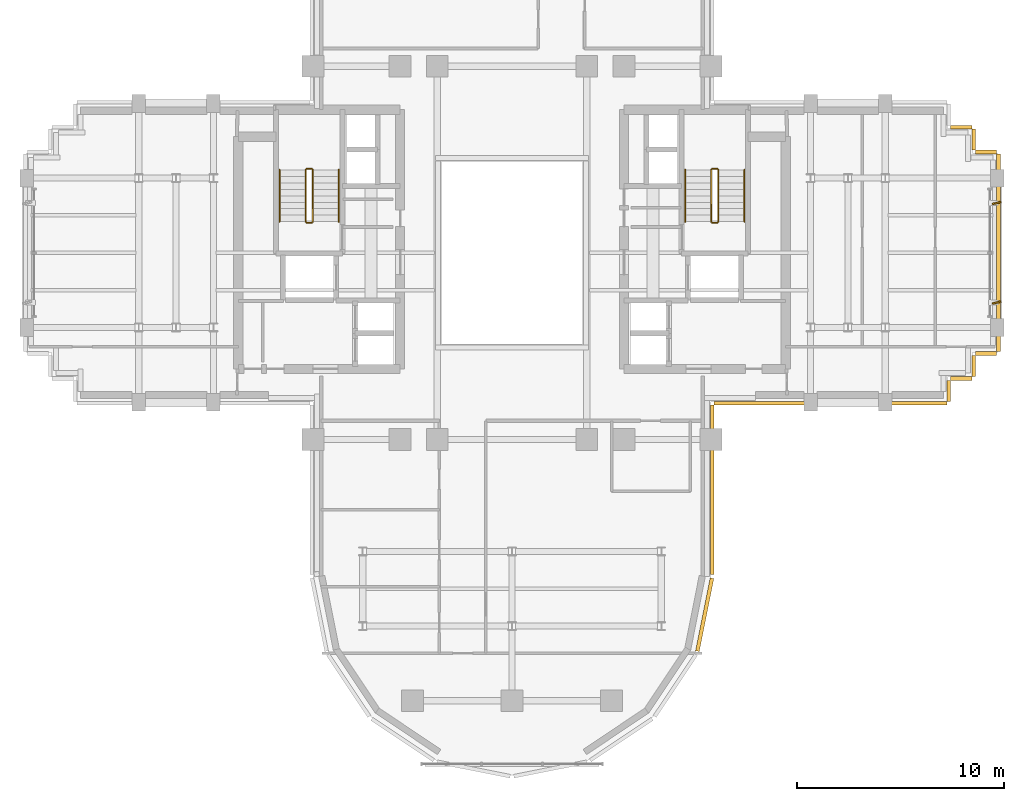
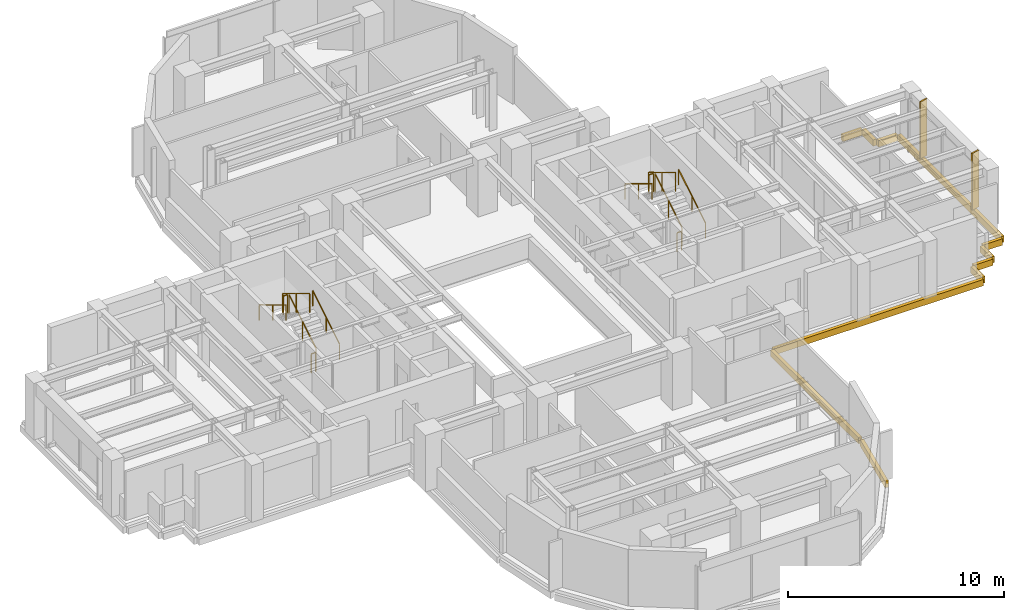
# One storey, part 13 of 14: 12 railings, 11 coverings, 2 shading devices.
"""IFC4 building model written with IfcOpenShell, lengths in metres."""

from ifc_helpers import new_model, si_unit, direction, frame, origin, origin_2d, place, context, subcontext, project, spatial, rectangle, extrude, source, transform, mapped, material, layer, layer_set, type_object, element, save


model = new_model("IFC4")

# Units and contexts
model_context = context("Model", 3, precision=1e-05, world=origin(), true_north=direction((0.0, 1.0)))
body_context = subcontext(model_context, "Body", "Model", "MODEL_VIEW")
ifc_project = project(units=[si_unit("LENGTHUNIT", "METRE"), si_unit("AREAUNIT", "SQUARE_METRE"), si_unit("VOLUMEUNIT", "CUBIC_METRE"), si_unit("PLANEANGLEUNIT", "RADIAN"), si_unit("MASSUNIT", "GRAM", prefix="KILO")], contexts=[model_context])

# Site, building, storey
site_placement = place(None, origin())
site = spatial("IfcSite", under=ifc_project, at=site_placement, CompositionType="ELEMENT")
building_placement = place(site_placement, origin())
building = spatial("IfcBuilding", under=site, at=building_placement, Name="Keilestroom Media Tower", CompositionType="ELEMENT")
storey_placement = place(building_placement, frame((0.0, 0.0, 127.800048828125)))
storey = spatial("IfcBuildingStorey", under=building, at=storey_placement, Name="L34", CompositionType="ELEMENT", Elevation=127.800048828125)

# Railings
ifc_material_1 = material(Name="Brushed Stainless Steel 1.4301", Category="steel")
railing_type_1 = type_object("IfcRailingType", Name="Stair-Pitch-Handrail-920", PredefinedType="HANDRAIL", material=ifc_material_1)
railing_1_placement = place(storey_placement, frame((-8.35009765625, 1.5, 0.188720703125)))
element("IfcRailing", 1, at=railing_1_placement, inside=storey, type_object=railing_type_1, Name="L34 ST-1 stair handrail 1", PredefinedType="HANDRAIL", context=body_context, shape_type="SweptSolid", body=[
    extrude(rectangle(XDim=0.048095703125, YDim=0.048095703125, at=origin_2d()), frame((0.0, 0.0, 0.8759765625), z_axis=(0.0, 0.855433747314, 0.517912255074), x_axis=(-1.0, 0.0, 0.0)), (0.0, 0.0, 1.0), 2.91796875),
    extrude(rectangle(XDim=0.0419921875, YDim=0.0419921875, at=origin_2d()), origin(), (0.0, 0.0, 1.0), 0.84375),
    extrude(rectangle(XDim=0.0419921875, YDim=0.0419921875, at=origin_2d()), frame((0.0, 1.248046875, 0.755615234375)), (0.0, 0.0, 1.0), 0.84375),
    extrude(rectangle(XDim=0.0419921875, YDim=0.0419921875, at=origin_2d()), frame((0.0, 2.49609375, 1.51123046875)), (0.0, 0.0, 1.0), 0.84375),
])
railing_2_placement = place(storey_placement, frame((-11.2099609375, 3.99609375, 1.888916015625)))
element("IfcRailing", 2, at=railing_2_placement, inside=storey, type_object=railing_type_1, Name="L34 ST-1 stair handrail 2", PredefinedType="HANDRAIL", context=body_context, shape_type="SweptSolid", body=[
    extrude(rectangle(XDim=0.048095703125, YDim=0.048095703125, at=origin_2d()), frame((0.0, 0.0, 0.8759765625), z_axis=(0.0, -0.855470815493, 0.517851024754), x_axis=(1.0, 0.0, 0.0)), (0.0, 0.0, 1.0), 2.917724609375),
    extrude(rectangle(XDim=0.0419921875, YDim=0.0419921875, at=origin_2d()), origin(), (0.0, 0.0, 1.0), 0.84375),
    extrude(rectangle(XDim=0.0419921875, YDim=0.0419921875, at=origin_2d()), frame((0.0, -1.248046875, 0.75537109375)), (0.0, 0.0, 1.0), 0.84375),
    extrude(rectangle(XDim=0.0419921875, YDim=0.0419921875, at=origin_2d()), frame((0.0, -2.49609375, 1.510986328125)), (0.0, 0.0, 1.0), 0.84375),
])
railing_3_placement = place(storey_placement, frame((11.2099609375, 1.5, 0.188720703125)))
element("IfcRailing", 3, at=railing_3_placement, inside=storey, type_object=railing_type_1, Name="L34 ST-2 stair handrail 1", PredefinedType="HANDRAIL", context=body_context, shape_type="SweptSolid", body=[
    extrude(rectangle(XDim=0.048095703125, YDim=0.048095703125, at=origin_2d()), frame((0.0, 0.0, 0.8759765625), z_axis=(0.0, 0.855433747314, 0.517912255074), x_axis=(-1.0, 0.0, 0.0)), (0.0, 0.0, 1.0), 2.91796875),
    extrude(rectangle(XDim=0.0419921875, YDim=0.0419921875, at=origin_2d()), origin(), (0.0, 0.0, 1.0), 0.84375),
    extrude(rectangle(XDim=0.0419921875, YDim=0.0419921875, at=origin_2d()), frame((0.0, 1.248046875, 0.755615234375)), (0.0, 0.0, 1.0), 0.84375),
    extrude(rectangle(XDim=0.0419921875, YDim=0.0419921875, at=origin_2d()), frame((0.0, 2.49609375, 1.51123046875)), (0.0, 0.0, 1.0), 0.84375),
])
railing_4_placement = place(storey_placement, frame((8.35009765625, 3.99609375, 1.888916015625)))
element("IfcRailing", 4, at=railing_4_placement, inside=storey, type_object=railing_type_1, Name="L34 ST-2 stair handrail 2", PredefinedType="HANDRAIL", context=body_context, shape_type="SweptSolid", body=[
    extrude(rectangle(XDim=0.048095703125, YDim=0.048095703125, at=origin_2d()), frame((0.0, 0.0, 0.8759765625), z_axis=(0.0, -0.855470815493, 0.517851024754), x_axis=(1.0, 0.0, 0.0)), (0.0, 0.0, 1.0), 2.917724609375),
    extrude(rectangle(XDim=0.0419921875, YDim=0.0419921875, at=origin_2d()), origin(), (0.0, 0.0, 1.0), 0.84375),
    extrude(rectangle(XDim=0.0419921875, YDim=0.0419921875, at=origin_2d()), frame((0.0, -1.248046875, 0.75537109375)), (0.0, 0.0, 1.0), 0.84375),
    extrude(rectangle(XDim=0.0419921875, YDim=0.0419921875, at=origin_2d()), frame((0.0, -2.49609375, 1.510986328125)), (0.0, 0.0, 1.0), 0.84375),
])
ifc_material_2 = material(Name="Painted Steel Balustrade", Category="steel")
railing_type_2 = type_object("IfcRailingType", Name="Stair-Well-And-Landing-Guard-1100", PredefinedType="GUARDRAIL", material=ifc_material_2)
railing_5_placement = place(storey_placement, frame((-9.610107421875, 1.5, 0.188720703125)))
element("IfcRailing", 5, at=railing_5_placement, inside=storey, type_object=railing_type_2, Name="L34 ST-1 stair guard 1", PredefinedType="GUARDRAIL", context=body_context, shape_type="SweptSolid", body=[
    extrude(rectangle(XDim=0.048095703125, YDim=0.048095703125, at=origin_2d()), frame((0.0, 0.0, 1.076171875), z_axis=(0.0, 0.855433747314, 0.517912255074), x_axis=(-1.0, 0.0, 0.0)), (0.0, 0.0, 1.0), 2.91796875),
    extrude(rectangle(XDim=0.0419921875, YDim=0.0419921875, at=origin_2d()), origin(), (0.0, 0.0, 1.0), 1.0439453125),
    extrude(rectangle(XDim=0.0419921875, YDim=0.0419921875, at=origin_2d()), frame((0.0, 1.248046875, 0.755615234375)), (0.0, 0.0, 1.0), 1.0439453125),
    extrude(rectangle(XDim=0.0419921875, YDim=0.0419921875, at=origin_2d()), frame((0.0, 2.49609375, 1.51123046875)), (0.0, 0.0, 1.0), 1.0439453125),
])
railing_6_placement = place(storey_placement, frame((-9.659912109375, 4.0458984375, 1.699951171875)))
element("IfcRailing", 6, at=railing_6_placement, inside=storey, type_object=railing_type_2, Name="L34 ST-1 stair guard 2", PredefinedType="GUARDRAIL", context=body_context, shape_type="SweptSolid", body=[
    extrude(rectangle(XDim=0.048095703125, YDim=0.048095703125, at=origin_2d()), frame((0.0, 0.0, 1.076171875), z_axis=(-1.0, 0.0, 0.0), x_axis=(0.0, -1.0, 0.0)), (0.0, 0.0, 1.0), 0.239990234375),
    extrude(rectangle(XDim=0.0419921875, YDim=0.0419921875, at=origin_2d()), origin(), (0.0, 0.0, 1.0), 1.0439453125),
    extrude(rectangle(XDim=0.0419921875, YDim=0.0419921875, at=origin_2d()), frame((-0.239990234375, 0.0, 0.0)), (0.0, 0.0, 1.0), 1.0439453125),
])
railing_7_placement = place(storey_placement, frame((-9.949951171875, 3.99609375, 1.888916015625)))
element("IfcRailing", 7, at=railing_7_placement, inside=storey, type_object=railing_type_2, Name="L34 ST-1 stair guard 3", PredefinedType="GUARDRAIL", context=body_context, shape_type="SweptSolid", body=[
    extrude(rectangle(XDim=0.048095703125, YDim=0.048095703125, at=origin_2d()), frame((0.0, 0.0, 1.076171875), z_axis=(0.0, -0.855470815493, 0.517851024754), x_axis=(1.0, 0.0, 0.0)), (0.0, 0.0, 1.0), 2.917724609375),
    extrude(rectangle(XDim=0.0419921875, YDim=0.0419921875, at=origin_2d()), origin(), (0.0, 0.0, 1.0), 1.0439453125),
    extrude(rectangle(XDim=0.0419921875, YDim=0.0419921875, at=origin_2d()), frame((0.0, -1.248046875, 0.75537109375)), (0.0, 0.0, 1.0), 1.0439453125),
    extrude(rectangle(XDim=0.0419921875, YDim=0.0419921875, at=origin_2d()), frame((0.0, -2.49609375, 1.510986328125)), (0.0, 0.0, 1.0), 1.0439453125),
])
railing_8_placement = place(storey_placement, frame((-9.659912109375, 1.449951171875, 0.0)))
element("IfcRailing", 8, at=railing_8_placement, inside=storey, type_object=railing_type_2, Name="L34 ST-1 stair guard 4", PredefinedType="GUARDRAIL", context=body_context, shape_type="SweptSolid", body=[
    extrude(rectangle(XDim=0.048095703125, YDim=0.048095703125, at=origin_2d()), frame((0.0, 0.0, 1.076171875), z_axis=(-1.0, 0.0, 0.0), x_axis=(0.0, -1.0, 0.0)), (0.0, 0.0, 1.0), 0.239990234375),
    extrude(rectangle(XDim=0.0419921875, YDim=0.0419921875, at=origin_2d()), origin(), (0.0, 0.0, 1.0), 1.0439453125),
    extrude(rectangle(XDim=0.0419921875, YDim=0.0419921875, at=origin_2d()), frame((-0.239990234375, 0.0, 0.0)), (0.0, 0.0, 1.0), 1.0439453125),
])
railing_9_placement = place(storey_placement, frame((9.949951171875, 1.5, 0.188720703125)))
element("IfcRailing", 9, at=railing_9_placement, inside=storey, type_object=railing_type_2, Name="L34 ST-2 stair guard 1", PredefinedType="GUARDRAIL", context=body_context, shape_type="SweptSolid", body=[
    extrude(rectangle(XDim=0.048095703125, YDim=0.048095703125, at=origin_2d()), frame((0.0, 0.0, 1.076171875), z_axis=(0.0, 0.855433747314, 0.517912255074), x_axis=(-1.0, 0.0, 0.0)), (0.0, 0.0, 1.0), 2.91796875),
    extrude(rectangle(XDim=0.0419921875, YDim=0.0419921875, at=origin_2d()), origin(), (0.0, 0.0, 1.0), 1.0439453125),
    extrude(rectangle(XDim=0.0419921875, YDim=0.0419921875, at=origin_2d()), frame((0.0, 1.248046875, 0.755615234375)), (0.0, 0.0, 1.0), 1.0439453125),
    extrude(rectangle(XDim=0.0419921875, YDim=0.0419921875, at=origin_2d()), frame((0.0, 2.49609375, 1.51123046875)), (0.0, 0.0, 1.0), 1.0439453125),
])
railing_10_placement = place(storey_placement, frame((9.89990234375, 4.0458984375, 1.699951171875)))
element("IfcRailing", 10, at=railing_10_placement, inside=storey, type_object=railing_type_2, Name="L34 ST-2 stair guard 2", PredefinedType="GUARDRAIL", context=body_context, shape_type="SweptSolid", body=[
    extrude(rectangle(XDim=0.048095703125, YDim=0.048095703125, at=origin_2d()), frame((0.0, 0.0, 1.076171875), z_axis=(-1.0, 0.0, 0.0), x_axis=(0.0, -1.0, 0.0)), (0.0, 0.0, 1.0), 0.239990234375),
    extrude(rectangle(XDim=0.0419921875, YDim=0.0419921875, at=origin_2d()), origin(), (0.0, 0.0, 1.0), 1.0439453125),
    extrude(rectangle(XDim=0.0419921875, YDim=0.0419921875, at=origin_2d()), frame((-0.239990234375, 0.0, 0.0)), (0.0, 0.0, 1.0), 1.0439453125),
])
railing_11_placement = place(storey_placement, frame((9.610107421875, 3.99609375, 1.888916015625)))
element("IfcRailing", 11, at=railing_11_placement, inside=storey, type_object=railing_type_2, Name="L34 ST-2 stair guard 3", PredefinedType="GUARDRAIL", context=body_context, shape_type="SweptSolid", body=[
    extrude(rectangle(XDim=0.048095703125, YDim=0.048095703125, at=origin_2d()), frame((0.0, 0.0, 1.076171875), z_axis=(0.0, -0.855470815493, 0.517851024754), x_axis=(1.0, 0.0, 0.0)), (0.0, 0.0, 1.0), 2.917724609375),
    extrude(rectangle(XDim=0.0419921875, YDim=0.0419921875, at=origin_2d()), origin(), (0.0, 0.0, 1.0), 1.0439453125),
    extrude(rectangle(XDim=0.0419921875, YDim=0.0419921875, at=origin_2d()), frame((0.0, -1.248046875, 0.75537109375)), (0.0, 0.0, 1.0), 1.0439453125),
    extrude(rectangle(XDim=0.0419921875, YDim=0.0419921875, at=origin_2d()), frame((0.0, -2.49609375, 1.510986328125)), (0.0, 0.0, 1.0), 1.0439453125),
])
railing_12_placement = place(storey_placement, frame((9.89990234375, 1.449951171875, 0.0)))
element("IfcRailing", 12, at=railing_12_placement, inside=storey, type_object=railing_type_2, Name="L34 ST-2 stair guard 4", PredefinedType="GUARDRAIL", context=body_context, shape_type="SweptSolid", body=[
    extrude(rectangle(XDim=0.048095703125, YDim=0.048095703125, at=origin_2d()), frame((0.0, 0.0, 1.076171875), z_axis=(-1.0, 0.0, 0.0), x_axis=(0.0, -1.0, 0.0)), (0.0, 0.0, 1.0), 0.239990234375),
    extrude(rectangle(XDim=0.0419921875, YDim=0.0419921875, at=origin_2d()), origin(), (0.0, 0.0, 1.0), 1.0439453125),
    extrude(rectangle(XDim=0.0419921875, YDim=0.0419921875, at=origin_2d()), frame((-0.239990234375, 0.0, 0.0)), (0.0, 0.0, 1.0), 1.0439453125),
])

# Shading devices
ifc_material_3 = material(Name="Bronze Anodised Aluminium", Category="aluminium")
shading_device_type = type_object("IfcShadingDeviceType", Name="Facade-Vertical-Sunshade-Fin-SHD-1", PredefinedType="USERDEFINED", material=ifc_material_3)
shared_shape_1 = source(origin(), body_context, "Body", "SweptSolid", [
    extrude(rectangle(XDim=0.419921875, YDim=0.080078125, at=origin_2d()), origin(), (0.0, 0.0, 1.0), 3.199951171875),
])
for number, where, z_axis, x_axis, name in (
    (13, (23.3701171875, -2.39990234375, 0.0), (0.0, 0.0, 1.0), (0.972002025815, 0.234972470325, 0.0), "L34 Twisting Sunshade Fin SHD-1 043"),
    (14, (23.3701171875, 2.39990234375, 0.0), (0.0, 0.0, 1.0), (0.972002025815, 0.234972470325, 0.0), "L34 Twisting Sunshade Fin SHD-1 044"),
):
    element("IfcShadingDevice", number, at=place(storey_placement, frame(where, z_axis=z_axis, x_axis=x_axis)), inside=storey, type_object=shading_device_type, Name=name, ObjectType="SUNSHADE", PredefinedType="USERDEFINED", context=body_context, shape_type="MappedRepresentation", body=[
        mapped(shared_shape_1, transform((0.0, 0.0, 0.0), x_axis=(1.0, 0.0, 0.0), y_axis=(0.0, 1.0, 0.0), z_axis=(0.0, 0.0, 1.0), scale=1.0)),
    ])

# Coverings
ifc_material_4 = material(Name="Precast concrete C40/50", Category="concrete")
ifc_layer = layer(ifc_material_4, 0.1201171875)
ifc_layer_set = layer_set([ifc_layer], Name="Precast concrete C40/50")
covering_type = type_object("IfcCoveringType", Name="Exterior-Precast-Spandrel-Cladding-Panel-120", PredefinedType="CLADDING", material=ifc_layer_set)
shared_shape_2 = source(origin(), body_context, "Body", "SweptSolid", [
    extrude(rectangle(XDim=1.02001953125, YDim=0.179931640625, at=origin_2d()), origin(), (0.0, 0.0, 1.0), 0.360107421875),
])
for number, where, z_axis, x_axis, name in (
    (15, (22.860107421875, -4.860107421875, -0.5400390625), (0.0, 0.0, 1.0), (-1.0, 0.0, 0.0), "L34 Precast Slab-Edge Fascia Cornice 01"),
    (16, (22.260009765625, -5.4599609375, -0.5400390625), (0.0, 0.0, 1.0), (0.0, -1.0, 0.0), "L34 Precast Slab-Edge Fascia Cornice 02"),
    (17, (21.659912109375, -6.06005859375, -0.5400390625), (0.0, 0.0, 1.0), (-1.0, 0.0, 0.0), "L34 Precast Slab-Edge Fascia Cornice 03"),
    (18, (21.06005859375, -6.659912109375, -0.5400390625), (0.0, 0.0, 1.0), (0.0, -1.0, 0.0), "L34 Precast Slab-Edge Fascia Cornice 04"),
    (19, (21.659912109375, 6.06005859375, -0.5400390625), (0.0, 0.0, 1.0), (1.0, 0.0, 0.0), "L34 Precast Slab-Edge Fascia Cornice 39"),
    (20, (22.260009765625, 5.4599609375, -0.5400390625), (0.0, 0.0, 1.0), (0.0, -1.0, 0.0), "L34 Precast Slab-Edge Fascia Cornice 40"),
    (21, (22.860107421875, 4.860107421875, -0.5400390625), (0.0, 0.0, 1.0), (1.0, 0.0, 0.0), "L34 Precast Slab-Edge Fascia Cornice 41"),
):
    element("IfcCovering", number, at=place(storey_placement, frame(where, z_axis=z_axis, x_axis=x_axis)), inside=storey, type_object=covering_type, Name=name, PredefinedType="CLADDING", context=body_context, shape_type="MappedRepresentation", body=[
        mapped(shared_shape_2, transform((0.0, 0.0, 0.0), x_axis=(1.0, 0.0, 0.0), y_axis=(0.0, 1.0, 0.0), z_axis=(0.0, 0.0, 1.0), scale=1.0)),
    ])
shared_shape_3 = source(origin(), body_context, "Body", "SweptSolid", [
    extrude(rectangle(XDim=8.166015625, YDim=0.179931640625, at=origin_2d()), origin(), (0.0, 0.0, 1.0), 0.360107421875),
])
covering_1_placement = place(storey_placement, frame((9.659912109375, -11.43310546875, -0.5400390625), z_axis=(0.0, 0.0, 1.0), x_axis=(0.0, -1.0, 0.0)))
element("IfcCovering", 22, at=covering_1_placement, inside=storey, type_object=covering_type, Name="L34 Precast Slab-Edge Fascia Cornice 06", PredefinedType="CLADDING", context=body_context, shape_type="MappedRepresentation", body=[
    mapped(shared_shape_3, transform((0.0, 0.0, 0.0), x_axis=(1.0, 0.0, 0.0), y_axis=(0.0, 1.0, 0.0), z_axis=(0.0, 0.0, 1.0), scale=1.0)),
])
shared_shape_4 = source(origin(), body_context, "Body", "SweptSolid", [
    extrude(rectangle(XDim=3.58349609375, YDim=0.179931640625, at=origin_2d()), origin(), (0.0, 0.0, 1.0), 0.360107421875),
])
covering_2_placement = place(storey_placement, frame((9.29296875, -17.45166015625, -0.5400390625), z_axis=(0.0, 0.0, 1.0), x_axis=(-0.195098880975, -0.980783577882, 0.0)))
element("IfcCovering", 23, at=covering_2_placement, inside=storey, type_object=covering_type, Name="L34 Precast Slab-Edge Fascia Cornice 07", PredefinedType="CLADDING", context=body_context, shape_type="MappedRepresentation", body=[
    mapped(shared_shape_4, transform((0.0, 0.0, 0.0), x_axis=(1.0, 0.0, 0.0), y_axis=(0.0, 1.0, 0.0), z_axis=(0.0, 0.0, 1.0), scale=1.0)),
])
shared_shape_5 = source(origin(), body_context, "Body", "SweptSolid", [
    extrude(rectangle(XDim=9.5400390625, YDim=0.179931640625, at=origin_2d()), origin(), (0.0, 0.0, 1.0), 0.360107421875),
])
covering_3_placement = place(storey_placement, frame((23.4599609375, 0.0, -0.5400390625), z_axis=(0.0, 0.0, 1.0), x_axis=(0.0, -1.0, 0.0)))
element("IfcCovering", 24, at=covering_3_placement, inside=storey, type_object=covering_type, Name="L34 Precast Slab-Edge Fascia Cornice 42", PredefinedType="CLADDING", context=body_context, shape_type="MappedRepresentation", body=[
    mapped(shared_shape_5, transform((0.0, 0.0, 0.0), x_axis=(1.0, 0.0, 0.0), y_axis=(0.0, 1.0, 0.0), z_axis=(0.0, 0.0, 1.0), scale=1.0)),
])
shared_shape_6 = source(origin(), body_context, "Body", "SweptSolid", [
    extrude(rectangle(XDim=11.219970703125, YDim=0.179931640625, at=origin_2d()), origin(), (0.0, 0.0, 1.0), 0.360107421875),
])
covering_4_placement = place(storey_placement, frame((15.360107421875, -7.260009765625, -0.5400390625), z_axis=(0.0, 0.0, 1.0), x_axis=(-1.0, 0.0, 0.0)))
element("IfcCovering", 25, at=covering_4_placement, inside=storey, type_object=covering_type, Name="L34 Precast Slab-Edge Fascia Cornice 05", PredefinedType="CLADDING", context=body_context, shape_type="MappedRepresentation", body=[
    mapped(shared_shape_6, transform((0.0, 0.0, 0.0), x_axis=(1.0, 0.0, 0.0), y_axis=(0.0, 1.0, 0.0), z_axis=(0.0, 0.0, 1.0), scale=1.0)),
])

save(model, "model.ifc")
